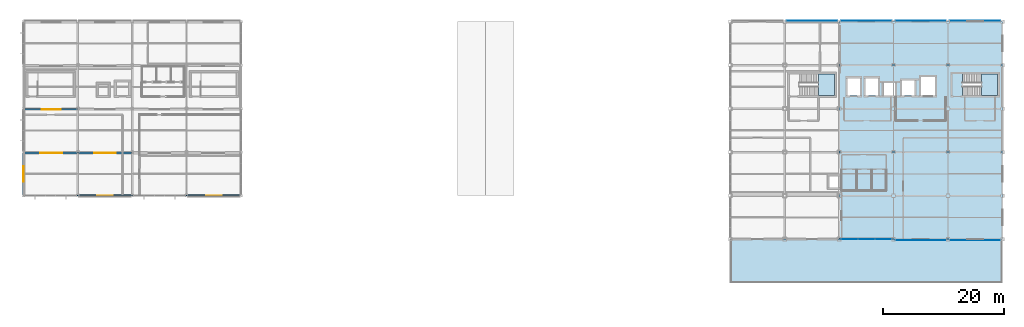
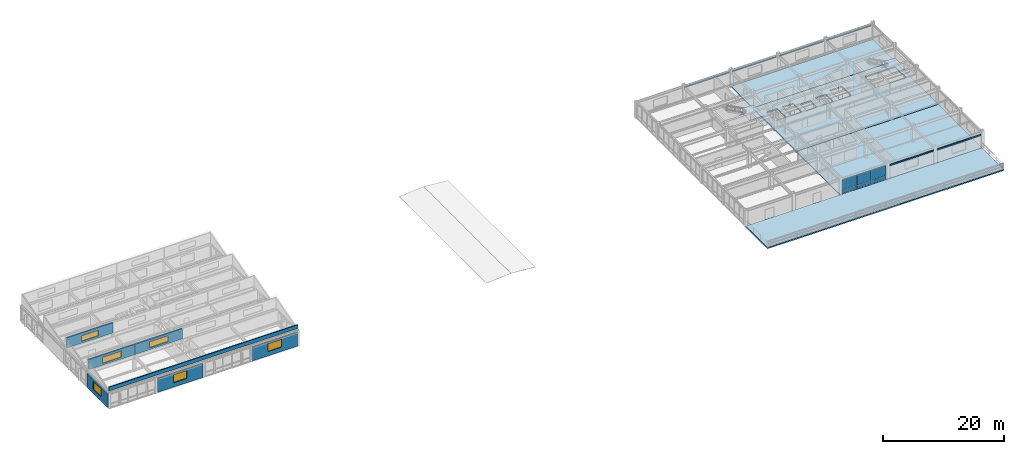
# One storey, part 34 of 43: 12 plates, 7 walls, 6 slabs, 6 windows, 6 openings, 3 elements without a shape of their own.
"""IFC4 building model written with IfcOpenShell, lengths in metres."""

from ifc_helpers import new_model, si_unit, direction, frame, frame_2d, origin, origin_2d, place, context, subcontext, project, spatial, polyline, rectangle, outline, extrude, material, layer, layer_set, type_object, element, fill, aggregate, save


model = new_model("IFC4")

# Units and contexts
model_context = context("Model", 3, precision=1e-05, world=origin(), true_north=direction((0.0, 1.0)))
body_context = subcontext(model_context, "Body", "Model", "MODEL_VIEW")
ifc_project = project(units=[si_unit("LENGTHUNIT", "METRE"), si_unit("AREAUNIT", "SQUARE_METRE"), si_unit("VOLUMEUNIT", "CUBIC_METRE"), si_unit("PLANEANGLEUNIT", "RADIAN"), si_unit("MASSUNIT", "GRAM", prefix="KILO")], contexts=[model_context])

# Site, building, storey
site_placement = place(None, origin())
site = spatial("IfcSite", under=ifc_project, at=site_placement, CompositionType="ELEMENT")
building_placement = place(site_placement, origin())
building = spatial("IfcBuilding", under=site, at=building_placement, Name="Kazanami Central Library", CompositionType="ELEMENT")
storey_placement = place(building_placement, frame((0.0, 0.0, 20.60009765625)))
storey = spatial("IfcBuildingStorey", under=building, at=storey_placement, Name="L06", CompositionType="ELEMENT", Elevation=20.60009765625)

# Curtain wall, plates
ifc_material_1 = material(Name="Acid-Etched Low-E Laminated Glass", Category="glass")
curtain_wall_type = type_object("IfcCurtainWallType", Name="CW-8400x2920-M275", PredefinedType="USERDEFINED", material=ifc_material_1)
curtain_wall_placement = place(storey_placement, origin())
curtain_wall = element("IfcCurtainWall", 1, at=curtain_wall_placement, inside=storey, type_object=curtain_wall_type, Name="Unitised Curtain Wall CW-55 L06 S-J-15", ObjectType="UNITISED CURTAIN WALL", PredefinedType="USERDEFINED")
ifc_layer_1 = layer(ifc_material_1, 0.0439453125, Name="Acid-Etched Low-E Laminated Glass")
ifc_layer_set_1 = layer_set([ifc_layer_1], Name="Acid-Etched Low-E Laminated Glass")
plate_type_1 = type_object("IfcPlateType", Name="PLT-CW-P2", PredefinedType="CURTAIN_PANEL", material=ifc_layer_set_1)
plate_1_placement = place(storey_placement, frame((136.71630859375, 57.60009765625, 0.8125), z_axis=(0.0, 0.0, 1.0), x_axis=(1.0, 0.0, 0.0)))
plate_1 = element("IfcPlate", 2, at=plate_1_placement, type_object=plate_type_1, Name="CW-55 panel 1.2", PredefinedType="CURTAIN_PANEL", context=body_context, shape_type="SweptSolid", body=[
    extrude(rectangle(XDim=2.702392578125, YDim=0.0439453125, at=origin_2d()), origin(), (0.0, 0.0, 1.0), 2.04248046875),
])
plate_2_placement = place(storey_placement, frame((139.5, 57.60009765625, 0.8125), z_axis=(0.0, 0.0, 1.0), x_axis=(1.0, 0.0, 0.0)))
plate_2 = element("IfcPlate", 3, at=plate_2_placement, type_object=plate_type_1, Name="CW-55 panel 2.2", PredefinedType="CURTAIN_PANEL", context=body_context, shape_type="SweptSolid", body=[
    extrude(rectangle(XDim=2.735107421875, YDim=0.0439453125, at=origin_2d()), origin(), (0.0, 0.0, 1.0), 2.04248046875),
])
plate_3_placement = place(storey_placement, frame((142.28369140625, 57.60009765625, 0.8125), z_axis=(0.0, 0.0, 1.0), x_axis=(1.0, 0.0, 0.0)))
plate_3 = element("IfcPlate", 4, at=plate_3_placement, type_object=plate_type_1, Name="CW-55 panel 3.2", PredefinedType="CURTAIN_PANEL", context=body_context, shape_type="SweptSolid", body=[
    extrude(rectangle(XDim=2.702392578125, YDim=0.0439453125, at=origin_2d()), origin(), (0.0, 0.0, 1.0), 2.04248046875),
])
ifc_material_2 = material(Name="Anodised Aluminium A5052-H32", Category="aluminium")
ifc_layer_2 = layer(ifc_material_2, 0.052001953125, Name="Anodised Aluminium A5052-H32")
ifc_layer_set_2 = layer_set([ifc_layer_2], Name="Anodised Aluminium A5052-H32")
plate_type_2 = type_object("IfcPlateType", Name="PLT-CW-SP2", PredefinedType="CURTAIN_PANEL", material=ifc_layer_set_2)
plate_4_placement = place(storey_placement, frame((136.71630859375, 57.60009765625, 0.06494140625), z_axis=(0.0, 0.0, 1.0), x_axis=(1.0, 0.0, 0.0)))
plate_4 = element("IfcPlate", 5, at=plate_4_placement, type_object=plate_type_2, Name="CW-55 panel 1.1", PredefinedType="CURTAIN_PANEL", context=body_context, shape_type="SweptSolid", body=[
    extrude(rectangle(XDim=2.702392578125, YDim=0.052001953125, at=origin_2d()), origin(), (0.0, 0.0, 1.0), 0.6826171875),
])
plate_5_placement = place(storey_placement, frame((139.5, 57.60009765625, 0.06494140625), z_axis=(0.0, 0.0, 1.0), x_axis=(1.0, 0.0, 0.0)))
plate_5 = element("IfcPlate", 6, at=plate_5_placement, type_object=plate_type_2, Name="CW-55 panel 2.1", PredefinedType="CURTAIN_PANEL", context=body_context, shape_type="SweptSolid", body=[
    extrude(rectangle(XDim=2.735107421875, YDim=0.052001953125, at=origin_2d()), origin(), (0.0, 0.0, 1.0), 0.6826171875),
])
plate_6_placement = place(storey_placement, frame((142.28369140625, 57.60009765625, 0.06494140625), z_axis=(0.0, 0.0, 1.0), x_axis=(1.0, 0.0, 0.0)))
plate_6 = element("IfcPlate", 7, at=plate_6_placement, type_object=plate_type_2, Name="CW-55 panel 3.1", PredefinedType="CURTAIN_PANEL", context=body_context, shape_type="SweptSolid", body=[
    extrude(rectangle(XDim=2.702392578125, YDim=0.052001953125, at=origin_2d()), origin(), (0.0, 0.0, 1.0), 0.6826171875),
])
aggregate(curtain_wall, [plate_4, plate_1, plate_5, plate_2, plate_6, plate_3])

# Plates
ifc_layer_3 = layer(ifc_material_2, 0.013916015625, Name="Anodised Aluminium A5052-H32")
ifc_layer_set_3 = layer_set([ifc_layer_3], Name="Anodised Aluminium A5052-H32")
plate_type_3 = type_object("IfcPlateType", Name="PLT-SPN-14", PredefinedType="SHEET", material=ifc_layer_set_3)
plate_7_placement = place(storey_placement, frame((130.5, 93.7470703125, 2.60986328125), z_axis=(0.0, 0.0, 1.0), x_axis=(-1.0, 0.0, 0.0)))
element("IfcPlate", 8, at=plate_7_placement, inside=storey, type_object=plate_type_3, Name="Architectural Spandrel Sheet SPN-14 L06 N-O-14", PredefinedType="SHEET", context=body_context, shape_type="SweptSolid", body=[
    extrude(rectangle(XDim=8.35009765625, YDim=0.013916015625, at=origin_2d()), origin(), (0.0, 0.0, 1.0), 0.300048828125),
])
ifc_layer_4 = layer(ifc_material_2, 0.01611328125, Name="Anodised Aluminium A5052-H32")
ifc_layer_set_4 = layer_set([ifc_layer_4], Name="Anodised Aluminium A5052-H32")
plate_type_4 = type_object("IfcPlateType", Name="PLT-SPN-16", PredefinedType="SHEET", material=ifc_layer_set_4)
plate_8_placement = place(storey_placement, frame((139.5, 93.748046875, 2.60986328125), z_axis=(0.0, 0.0, 1.0), x_axis=(-1.0, 0.0, 0.0)))
element("IfcPlate", 9, at=plate_8_placement, inside=storey, type_object=plate_type_4, Name="Architectural Spandrel Sheet SPN-16 L06 N-O-15", PredefinedType="SHEET", context=body_context, shape_type="SweptSolid", body=[
    extrude(rectangle(XDim=8.35009765625, YDim=0.01611328125, at=origin_2d()), origin(), (0.0, 0.0, 1.0), 0.300048828125),
])
ifc_layer_5 = layer(ifc_material_2, 0.01806640625, Name="Anodised Aluminium A5052-H32")
ifc_layer_set_5 = layer_set([ifc_layer_5], Name="Anodised Aluminium A5052-H32")
plate_type_5 = type_object("IfcPlateType", Name="PLT-SPN-18", PredefinedType="SHEET", material=ifc_layer_set_5)
plate_9_placement = place(storey_placement, frame((148.5, 57.450927734375, 2.60986328125), z_axis=(0.0, 0.0, 1.0), x_axis=(1.0, 0.0, 0.0)))
element("IfcPlate", 10, at=plate_9_placement, inside=storey, type_object=plate_type_5, Name="Architectural Spandrel Sheet SPN-18 L06 S-J-16", PredefinedType="SHEET", context=body_context, shape_type="SweptSolid", body=[
    extrude(rectangle(XDim=8.300048828125, YDim=0.01806640625, at=origin_2d()), origin(), (0.0, 0.0, 1.0), 0.300048828125),
])
plate_10_placement = place(storey_placement, frame((148.5, 93.7490234375, 2.60986328125), z_axis=(0.0, 0.0, 1.0), x_axis=(-1.0, 0.0, 0.0)))
element("IfcPlate", 11, at=plate_10_placement, inside=storey, type_object=plate_type_5, Name="Architectural Spandrel Sheet SPN-18 L06 N-O-16", PredefinedType="SHEET", context=body_context, shape_type="SweptSolid", body=[
    extrude(rectangle(XDim=8.35009765625, YDim=0.01806640625, at=origin_2d()), origin(), (0.0, 0.0, 1.0), 0.300048828125),
])
ifc_layer_6 = layer(ifc_material_2, 0.02001953125, Name="Anodised Aluminium A5052-H32")
ifc_layer_set_6 = layer_set([ifc_layer_6], Name="Anodised Aluminium A5052-H32")
plate_type_6 = type_object("IfcPlateType", Name="PLT-SPN-20", PredefinedType="SHEET", material=ifc_layer_set_6)
plate_11_placement = place(storey_placement, frame((157.512451171875, 57.449951171875, 2.60986328125), z_axis=(0.0, 0.0, 1.0), x_axis=(1.0, 0.0, 0.0)))
element("IfcPlate", 12, at=plate_11_placement, inside=storey, type_object=plate_type_6, Name="Architectural Spandrel Sheet SPN-20 L06 S-J-17", PredefinedType="SHEET", context=body_context, shape_type="SweptSolid", body=[
    extrude(rectangle(XDim=8.324951171875, YDim=0.02001953125, at=origin_2d()), origin(), (0.0, 0.0, 1.0), 0.300048828125),
])
plate_12_placement = place(storey_placement, frame((157.5, 93.75, 2.60986328125), z_axis=(0.0, 0.0, 1.0), x_axis=(-1.0, 0.0, 0.0)))
element("IfcPlate", 13, at=plate_12_placement, inside=storey, type_object=plate_type_6, Name="Architectural Spandrel Sheet SPN-20 L06 N-O-17", PredefinedType="SHEET", context=body_context, shape_type="SweptSolid", body=[
    extrude(rectangle(XDim=8.35009765625, YDim=0.02001953125, at=origin_2d()), origin(), (0.0, 0.0, 1.0), 0.300048828125),
])

# Slabs
ifc_material_3 = material(Name="Concrete Fc36 (36 MPa)", Category="concrete")
ifc_layer_7 = layer(ifc_material_3, 0.260009765625, Name="Concrete Fc36 (36 MPa)")
ifc_layer_set_7 = layer_set([ifc_layer_7], Name="Concrete Fc36 (36 MPa)")
slab_type_1 = type_object("IfcSlabType", Name="SLB-FLR-260", PredefinedType="FLOOR", material=ifc_layer_set_7)
slab_1_placement = place(storey_placement, frame((0.0, 0.0, -0.260009765625)))
element("IfcSlab", 14, at=slab_1_placement, inside=storey, type_object=slab_type_1, Name="Composite Floor Slab L06 V2-UPPER Zone 10", PredefinedType="FLOOR", context=body_context, shape_type="SweptSolid", body=[
    extrude(outline(polyline([(135.0, 57.60009765625), (162.0, 57.60009765625), (162.0, 72.0), (135.0, 72.0), (135.0, 57.60009765625)])), origin(), (0.0, 0.0, 1.0), 0.260009765625),
])
slab_2_placement = place(storey_placement, frame((0.0, 0.0, -0.260009765625)))
element("IfcSlab", 15, at=slab_2_placement, inside=storey, type_object=slab_type_1, Name="Composite Floor Slab L06 V2-UPPER Zone 11", PredefinedType="FLOOR", context=body_context, shape_type="SweptSolid", body=[
    extrude(outline(polyline([(135.0, 72.0), (162.0, 72.0), (162.0, 86.39990234375), (135.0, 86.39990234375), (135.0, 72.0)]), holes=[polyline([(155.39990234375, 81.375), (161.22509765625, 81.375), (161.22509765625, 84.925048828125), (155.39990234375, 84.925048828125), (155.39990234375, 81.375)]), polyline([(136.375, 81.375), (138.425048828125, 81.375), (138.425048828125, 84.22509765625), (136.375, 84.22509765625), (136.375, 81.375)]), polyline([(139.375, 81.375), (141.425048828125, 81.375), (141.425048828125, 84.22509765625), (139.375, 84.22509765625), (139.375, 81.375)]), polyline([(145.375, 81.375), (147.425048828125, 81.375), (147.425048828125, 83.824951171875), (145.375, 83.824951171875), (145.375, 81.375)]), polyline([(148.574951171875, 81.375), (150.824951171875, 81.375), (150.824951171875, 84.425048828125), (148.574951171875, 84.425048828125), (148.574951171875, 81.375)]), polyline([(142.35009765625, 81.35009765625), (144.25, 81.35009765625), (144.25, 83.449951171875), (142.35009765625, 83.449951171875), (142.35009765625, 81.35009765625)])]), origin(), (0.0, 0.0, 1.0), 0.260009765625),
])
slab_3_placement = place(storey_placement, frame((0.0, 0.0, -0.260009765625)))
element("IfcSlab", 16, at=slab_3_placement, inside=storey, type_object=slab_type_1, Name="Composite Floor Slab L06 V2-UPPER Zone 12", PredefinedType="FLOOR", context=body_context, shape_type="SweptSolid", body=[
    extrude(outline(polyline([(135.0, 86.39990234375), (162.0, 86.39990234375), (162.0, 93.60009765625), (135.0, 93.60009765625), (135.0, 86.39990234375)])), origin(), (0.0, 0.0, 1.0), 0.260009765625),
])

# Stair, slab
stair_type = type_object("IfcStairType", Name="STR-T36", PredefinedType="HALF_TURN_STAIR", material=ifc_material_3)
stair_1_placement = place(storey_placement, origin())
stair_1 = element("IfcStair", 17, at=stair_1_placement, inside=storey, type_object=stair_type, Name="Enclosed Escape Stair ST-01 (L06)", PredefinedType="HALF_TURN_STAIR")
ifc_layer_8 = layer(ifc_material_3, 0.179931640625, Name="Concrete Fc36 (36 MPa)")
ifc_layer_set_8 = layer_set([ifc_layer_8], Name="Concrete Fc36 (36 MPa)")
slab_type_2 = type_object("IfcSlabType", Name="SLB-LND-180", PredefinedType="LANDING", material=ifc_layer_set_8)
slab_4_placement = place(storey_placement, frame((0.0, 0.0, 1.619873046875)))
slab_4 = element("IfcSlab", 18, at=slab_4_placement, type_object=slab_type_2, Name="ST-01 landing 1", PredefinedType="LANDING", context=body_context, shape_type="SweptSolid", body=[
    extrude(outline(polyline([(131.548095703125, 81.375), (134.22509765625, 81.375), (134.22509765625, 84.925048828125), (131.548095703125, 84.925048828125), (131.548095703125, 81.375)])), origin(), (0.0, 0.0, 1.0), 0.179931640625),
])
aggregate(stair_1, [slab_4])

stair_2_placement = place(storey_placement, origin())
stair_2 = element("IfcStair", 19, at=stair_2_placement, inside=storey, type_object=stair_type, Name="Enclosed Escape Stair ST-02 (L06)", PredefinedType="HALF_TURN_STAIR")
slab_5_placement = place(storey_placement, frame((0.0, 0.0, 1.619873046875)))
slab_5 = element("IfcSlab", 20, at=slab_5_placement, type_object=slab_type_2, Name="ST-02 landing 1", PredefinedType="LANDING", context=body_context, shape_type="SweptSolid", body=[
    extrude(outline(polyline([(158.548095703125, 81.375), (161.22509765625, 81.375), (161.22509765625, 84.925048828125), (158.548095703125, 84.925048828125), (158.548095703125, 81.375)])), origin(), (0.0, 0.0, 1.0), 0.179931640625),
])
aggregate(stair_2, [slab_5])

# Slab
ifc_layer_9 = layer(ifc_material_3, 0.239990234375, Name="Concrete Fc36 (36 MPa)")
ifc_layer_set_9 = layer_set([ifc_layer_9], Name="Concrete Fc36 (36 MPa)")
slab_type_3 = type_object("IfcSlabType", Name="SLB-TER-240", PredefinedType="FLOOR", material=ifc_layer_set_9)
slab_6_placement = place(storey_placement, frame((0.0, 0.0, -0.239990234375)))
element("IfcSlab", 21, at=slab_6_placement, inside=storey, type_object=slab_type_3, Name="Archive Wing Canal Overlook Terrace L06", PredefinedType="FLOOR", context=body_context, shape_type="SweptSolid", body=[
    extrude(outline(polyline([(117.0, 50.39990234375), (162.0, 50.39990234375), (162.0, 57.60009765625), (117.0, 57.60009765625), (117.0, 50.39990234375)])), origin(), (0.0, 0.0, 1.0), 0.239990234375),
])

# Wall, opening, window
ifc_layer_10 = layer(ifc_material_3, 0.179931640625, Name="Concrete Fc36 (36 MPa)")
ifc_material_4 = material(Name="Extruded Polystyrene XPS", Category="earth")
ifc_layer_11 = layer(ifc_material_4, 0.050048828125, Name="Extruded Polystyrene XPS")
ifc_material_5 = material(Name="Honed Inada Granite", Category="masonry")
ifc_layer_12 = layer(ifc_material_5, 0.030029296875, Name="Honed Inada Granite")
ifc_layer_set_10 = layer_set([ifc_layer_10, ifc_layer_11, ifc_layer_12], Name="Concrete Fc36 (36 MPa)")
wall_type_1 = type_object("IfcWallType", Name="WAL-EW-260", PredefinedType="STANDARD", material=ifc_layer_set_10)
wall_1_placement = place(storey_placement, frame((8.97998046875, 71.8701171875, 3.39990234375), z_axis=(0.0, 0.0, 1.0), x_axis=(-1.0, 0.0, 0.0)))
wall_1 = element("IfcWall", 22, at=wall_1_placement, inside=storey, type_object=wall_type_1, Name="North-Light Sawtooth Clerestory Wall SAW-L06-V4-1 Bay 1", PredefinedType="STANDARD", context=body_context, shape_type="SweptSolid", body=[
    extrude(rectangle(XDim=8.780029296875, YDim=0.260009765625, at=frame_2d((4.39013671875, 0.0))), origin(), (0.0, 0.0, 1.0), 2.050048828125),
])
opening_1_placement = place(wall_1_placement, frame((2.590087890625, 0.0, 0.3798828125)))
opening_1 = element("IfcOpeningElement", 23, at=opening_1_placement, cuts=wall_1, Name="Opening WN-CL1", PredefinedType="OPENING", context=body_context, shape_type="SweptSolid", body=[
    extrude(rectangle(XDim=3.60009765625, YDim=1.199951171875, at=frame_2d((1.800048828125, 0.60009765625))), frame((0.0, 0.14208984375, 0.0), z_axis=(0.0, -1.0, 0.0), x_axis=(1.0, 0.0, 0.0)), (0.0, 0.0, 1.0), 0.283935546875),
])
ifc_material_6 = material(Name="Low-E Insulated Triple Glass", Category="glass")
window_type_1 = type_object("IfcWindowType", Name="WIN-WN-CL1", PartitioningType="DOUBLE_PANEL_VERTICAL", PredefinedType="WINDOW", material=ifc_material_6)
window_1_placement = place(opening_1_placement, origin())
window_1 = element("IfcWindow", 24, at=window_1_placement, inside=storey, type_object=window_type_1, Name="North-Light Sawtooth Clerestory Window WN-CL1 SAW-L06-V4-1.1", OverallHeight=1.199951171875, OverallWidth=3.60009765625, PartitioningType="DOUBLE_PANEL_VERTICAL", PredefinedType="WINDOW", context=body_context, shape_type="SweptSolid", body=[
    extrude(rectangle(XDim=3.60009765625, YDim=1.199951171875, at=frame_2d((1.800048828125, 0.60009765625))), frame((0.0, 0.030029296875, 0.0), z_axis=(0.0, -1.0, 0.0), x_axis=(1.0, 0.0, 0.0)), (0.0, 0.0, 1.0), 0.06005859375),
])
fill(opening_1, window_1)

wall_2_placement = place(storey_placement, frame((17.97998046875, 71.8701171875, 3.39990234375), z_axis=(0.0, 0.0, 1.0), x_axis=(-1.0, 0.0, 0.0)))
wall_2 = element("IfcWall", 25, at=wall_2_placement, inside=storey, type_object=wall_type_1, Name="North-Light Sawtooth Clerestory Wall SAW-L06-V4-1 Bay 2", PredefinedType="STANDARD", context=body_context, shape_type="SweptSolid", body=[
    extrude(rectangle(XDim=8.9599609375, YDim=0.260009765625, at=frame_2d((4.47998046875, 0.0))), origin(), (0.0, 0.0, 1.0), 2.050048828125),
])
opening_2_placement = place(wall_2_placement, frame((2.679931640625, 0.0, 0.3798828125)))
opening_2 = element("IfcOpeningElement", 26, at=opening_2_placement, cuts=wall_2, Name="Opening WN-CL1", PredefinedType="OPENING", context=body_context, shape_type="SweptSolid", body=[
    extrude(rectangle(XDim=3.60009765625, YDim=1.199951171875, at=frame_2d((1.800048828125, 0.60009765625))), frame((0.0, 0.14208984375, 0.0), z_axis=(0.0, -1.0, 0.0), x_axis=(1.0, 0.0, 0.0)), (0.0, 0.0, 1.0), 0.283935546875),
])
window_2_placement = place(opening_2_placement, origin())
window_2 = element("IfcWindow", 27, at=window_2_placement, inside=storey, type_object=window_type_1, Name="North-Light Sawtooth Clerestory Window WN-CL1 SAW-L06-V4-1.2", OverallHeight=1.199951171875, OverallWidth=3.60009765625, PartitioningType="DOUBLE_PANEL_VERTICAL", PredefinedType="WINDOW", context=body_context, shape_type="SweptSolid", body=[
    extrude(rectangle(XDim=3.60009765625, YDim=1.199951171875, at=frame_2d((1.800048828125, 0.60009765625))), frame((0.0, 0.030029296875, 0.0), z_axis=(0.0, -1.0, 0.0), x_axis=(1.0, 0.0, 0.0)), (0.0, 0.0, 1.0), 0.06005859375),
])
fill(opening_2, window_2)

wall_3_placement = place(storey_placement, frame((8.97998046875, 79.070068359375, 3.39990234375), z_axis=(0.0, 0.0, 1.0), x_axis=(-1.0, 0.0, 0.0)))
wall_3 = element("IfcWall", 28, at=wall_3_placement, inside=storey, type_object=wall_type_1, Name="North-Light Sawtooth Clerestory Wall SAW-L06-V4-2 Bay 1", PredefinedType="STANDARD", context=body_context, shape_type="SweptSolid", body=[
    extrude(rectangle(XDim=8.780029296875, YDim=0.260009765625, at=frame_2d((4.39013671875, 0.0))), origin(), (0.0, 0.0, 1.0), 2.050048828125),
])
opening_3_placement = place(wall_3_placement, frame((2.7900390625, 0.0, 0.3798828125)))
opening_3 = element("IfcOpeningElement", 29, at=opening_3_placement, cuts=wall_3, Name="Opening WN-CL2", PredefinedType="OPENING", context=body_context, shape_type="SweptSolid", body=[
    extrude(rectangle(XDim=3.199951171875, YDim=1.10009765625, at=frame_2d((1.60009765625, 0.550048828125))), frame((0.0, 0.14208984375, 0.0), z_axis=(0.0, -1.0, 0.0), x_axis=(1.0, 0.0, 0.0)), (0.0, 0.0, 1.0), 0.283935546875),
])
window_type_2 = type_object("IfcWindowType", Name="WIN-WN-CL2", PartitioningType="DOUBLE_PANEL_VERTICAL", PredefinedType="WINDOW", material=ifc_material_6)
window_3_placement = place(opening_3_placement, origin())
window_3 = element("IfcWindow", 30, at=window_3_placement, inside=storey, type_object=window_type_2, Name="North-Light Sawtooth Clerestory Window WN-CL2 SAW-L06-V4-2.1", OverallHeight=1.10009765625, OverallWidth=3.199951171875, PartitioningType="DOUBLE_PANEL_VERTICAL", PredefinedType="WINDOW", context=body_context, shape_type="SweptSolid", body=[
    extrude(rectangle(XDim=3.199951171875, YDim=1.10009765625, at=frame_2d((1.60009765625, 0.550048828125))), frame((0.0, 0.030029296875, 0.0), z_axis=(0.0, -1.0, 0.0), x_axis=(1.0, 0.0, 0.0)), (0.0, 0.0, 1.0), 0.06005859375),
])
fill(opening_3, window_3)

ifc_layer_13 = layer(ifc_material_3, 0.199951171875, Name="Concrete Fc36 (36 MPa)")
ifc_layer_14 = layer(ifc_material_4, 0.050048828125, Name="Extruded Polystyrene XPS")
ifc_layer_15 = layer(ifc_material_5, 0.030029296875, Name="Honed Inada Granite")
ifc_layer_set_11 = layer_set([ifc_layer_13, ifc_layer_14, ifc_layer_15], Name="Concrete Fc36 (36 MPa)")
wall_type_2 = type_object("IfcWallType", Name="WAL-EW-280", PredefinedType="STANDARD", material=ifc_layer_set_11)
wall_4_placement = place(storey_placement, frame((9.199951171875, 64.800048828125, 0.0), z_axis=(0.0, 0.0, 1.0), x_axis=(1.0, 0.0, 0.0)))
wall_4 = element("IfcWall", 31, at=wall_4_placement, inside=storey, type_object=wall_type_2, Name="Exterior Facade Wall EW-280 L06 S-K-01", PredefinedType="STANDARD", context=body_context, shape_type="SweptSolid", body=[
    extrude(rectangle(XDim=8.60009765625, YDim=0.280029296875, at=frame_2d((4.300048828125, 0.0))), origin(), (0.0, 0.0, 1.0), 2.77978515625),
])
opening_4_placement = place(wall_4_placement, frame((3.0, 0.0, 0.85009765625)))
opening_4 = element("IfcOpeningElement", 32, at=opening_4_placement, cuts=wall_4, Name="Opening WN-13", PredefinedType="OPENING", context=body_context, shape_type="SweptSolid", body=[
    extrude(rectangle(XDim=2.60009765625, YDim=1.60009765625, at=frame_2d((1.300048828125, 0.800048828125))), frame((0.0, 0.15185546875, 0.0), z_axis=(0.0, -1.0, 0.0), x_axis=(1.0, 0.0, 0.0)), (0.0, 0.0, 1.0), 0.303955078125),
])
window_type_3 = type_object("IfcWindowType", Name="WIN-WN-13", PartitioningType="DOUBLE_PANEL_VERTICAL", PredefinedType="WINDOW", material=ifc_material_6)
window_4_placement = place(opening_4_placement, origin())
window_4 = element("IfcWindow", 33, at=window_4_placement, inside=storey, type_object=window_type_3, Name="Facade Window WN-13 L06 S-K-01", OverallHeight=1.60009765625, OverallWidth=2.60009765625, PartitioningType="DOUBLE_PANEL_VERTICAL", PredefinedType="WINDOW", context=body_context, shape_type="SweptSolid", body=[
    extrude(rectangle(XDim=2.60009765625, YDim=1.60009765625, at=frame_2d((1.300048828125, 0.800048828125))), frame((0.0, 0.030029296875, 0.0), z_axis=(0.0, -1.0, 0.0), x_axis=(1.0, 0.0, 0.0)), (0.0, 0.0, 1.0), 0.06005859375),
])
fill(opening_4, window_4)

wall_5_placement = place(storey_placement, frame((27.199951171875, 64.800048828125, 0.0), z_axis=(0.0, 0.0, 1.0), x_axis=(1.0, 0.0, 0.0)))
wall_5 = element("IfcWall", 34, at=wall_5_placement, inside=storey, type_object=wall_type_2, Name="Exterior Facade Wall EW-280 L06 S-K-03", PredefinedType="STANDARD", context=body_context, shape_type="SweptSolid", body=[
    extrude(rectangle(XDim=8.625, YDim=0.280029296875, at=frame_2d((4.3125, 0.0))), origin(), (0.0, 0.0, 1.0), 2.77978515625),
])
opening_5_placement = place(wall_5_placement, frame((3.012451171875, 0.0, 0.85009765625)))
opening_5 = element("IfcOpeningElement", 35, at=opening_5_placement, cuts=wall_5, Name="Opening WN-13", PredefinedType="OPENING", context=body_context, shape_type="SweptSolid", body=[
    extrude(rectangle(XDim=2.60009765625, YDim=1.60009765625, at=frame_2d((1.300048828125, 0.800048828125))), frame((0.0, 0.15185546875, 0.0), z_axis=(0.0, -1.0, 0.0), x_axis=(1.0, 0.0, 0.0)), (0.0, 0.0, 1.0), 0.303955078125),
])
window_5_placement = place(opening_5_placement, origin())
window_5 = element("IfcWindow", 36, at=window_5_placement, inside=storey, type_object=window_type_3, Name="Facade Window WN-13 L06 S-K-03", OverallHeight=1.60009765625, OverallWidth=2.60009765625, PartitioningType="DOUBLE_PANEL_VERTICAL", PredefinedType="WINDOW", context=body_context, shape_type="SweptSolid", body=[
    extrude(rectangle(XDim=2.60009765625, YDim=1.60009765625, at=frame_2d((1.300048828125, 0.800048828125))), frame((0.0, 0.030029296875, 0.0), z_axis=(0.0, -1.0, 0.0), x_axis=(1.0, 0.0, 0.0)), (0.0, 0.0, 1.0), 0.06005859375),
])
fill(opening_5, window_5)

wall_6_placement = place(storey_placement, frame((0.0, 64.97509765625, 0.0), z_axis=(0.0, 0.0, 1.0), x_axis=(0.0, 1.0, 0.0)))
wall_6 = element("IfcWall", 37, at=wall_6_placement, inside=storey, type_object=wall_type_2, Name="Exterior Facade Wall EW-280 L06 W-1-09", PredefinedType="STANDARD", context=body_context, shape_type="SweptSolid", body=[
    extrude(rectangle(XDim=6.849853515625, YDim=0.280029296875, at=frame_2d((3.4248046875, 0.0))), origin(), (0.0, 0.0, 1.0), 2.77978515625),
])
opening_6_placement = place(wall_6_placement, frame((2.125, 0.0, 0.85009765625)))
opening_6 = element("IfcOpeningElement", 38, at=opening_6_placement, cuts=wall_6, Name="Opening WN-13", PredefinedType="OPENING", context=body_context, shape_type="SweptSolid", body=[
    extrude(rectangle(XDim=2.60009765625, YDim=1.60009765625, at=frame_2d((1.300048828125, 0.800048828125))), frame((0.0, 0.15185546875, 0.0), z_axis=(0.0, -1.0, 0.0), x_axis=(1.0, 0.0, 0.0)), (0.0, 0.0, 1.0), 0.303955078125),
])
window_6_placement = place(opening_6_placement, origin())
window_6 = element("IfcWindow", 39, at=window_6_placement, inside=storey, type_object=window_type_3, Name="Facade Window WN-13 L06 W-1-09", OverallHeight=1.60009765625, OverallWidth=2.60009765625, PartitioningType="DOUBLE_PANEL_VERTICAL", PredefinedType="WINDOW", context=body_context, shape_type="SweptSolid", body=[
    extrude(rectangle(XDim=2.60009765625, YDim=1.60009765625, at=frame_2d((1.300048828125, 0.800048828125))), frame((0.0, 0.030029296875, 0.0), z_axis=(0.0, -1.0, 0.0), x_axis=(1.0, 0.0, 0.0)), (0.0, 0.0, 1.0), 0.06005859375),
])
fill(opening_6, window_6)

# Wall
ifc_layer_16 = layer(ifc_material_3, 0.18994140625, Name="Concrete Fc36 (36 MPa)")
ifc_layer_set_12 = layer_set([ifc_layer_16], Name="Concrete Fc36 (36 MPa)")
wall_type_3 = type_object("IfcWallType", Name="WAL-PW-190", PredefinedType="PARAPET", material=ifc_layer_set_12)
wall_7_placement = place(storey_placement, frame((0.0, 64.89501953125, 3.39990234375), z_axis=(0.0, 0.0, 1.0), x_axis=(1.0, 0.0, 0.0)))
element("IfcWall", 40, at=wall_7_placement, inside=storey, type_object=wall_type_3, Name="Roof Eave Parapet V4-S", PredefinedType="PARAPET", context=body_context, shape_type="SweptSolid", body=[
    extrude(rectangle(XDim=36.0, YDim=0.18994140625, at=frame_2d((18.0, 0.0))), origin(), (0.0, 0.0, 1.0), 0.75),
])

save(model, "model.ifc")
